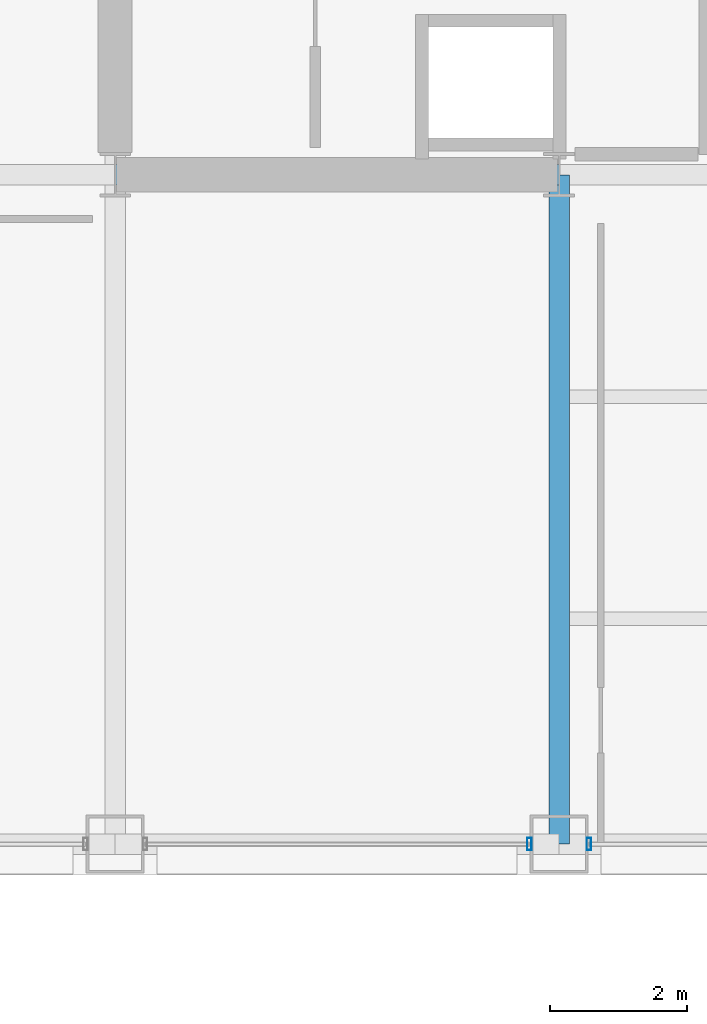
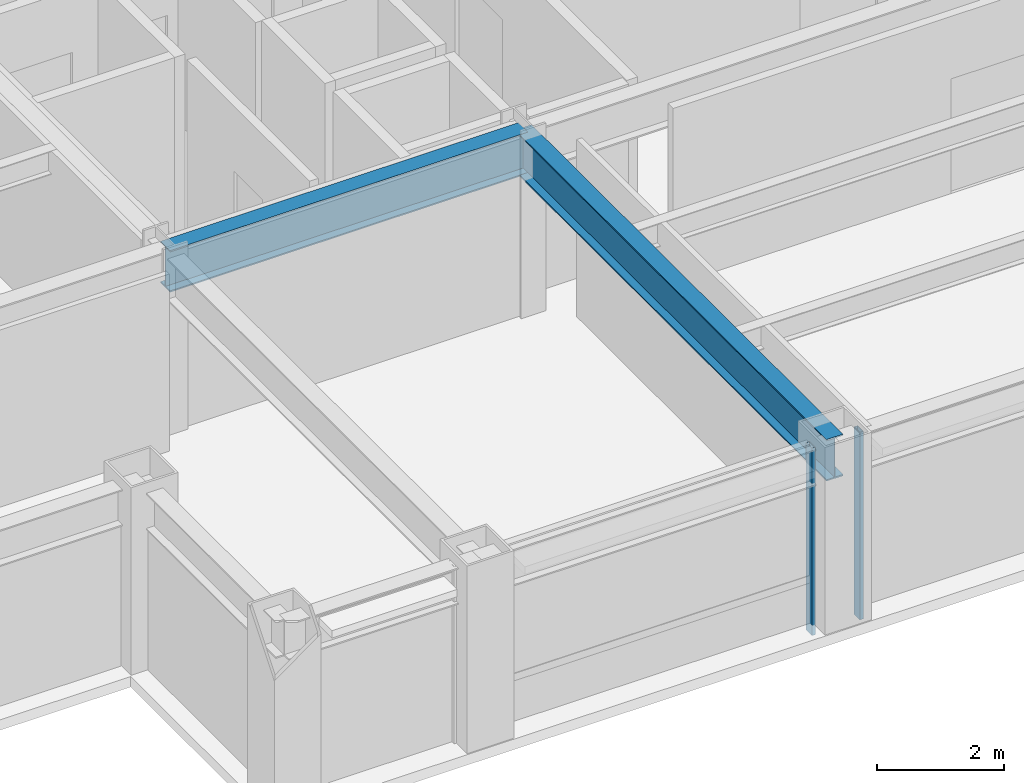
# One storey, part 4 of 28: 2 beams, 2 members, 2 elements without a shape of their own.
"""IFC4 building model written with IfcOpenShell, lengths in metres."""

from ifc_helpers import new_model, si_unit, direction, frame, origin, origin_2d, place, context, subcontext, project, spatial, hollow_rectangle, i_section, extrude, material, layer, layer_set, material_profile, profile_set, type_object, element, aggregate, save


model = new_model("IFC4")

# Units and contexts
model_context = context("Model", 3, precision=1e-05, world=origin(), true_north=direction((0.0, 1.0)))
body_context = subcontext(model_context, "Body", "Model", "MODEL_VIEW")
ifc_project = project(units=[si_unit("LENGTHUNIT", "METRE"), si_unit("AREAUNIT", "SQUARE_METRE"), si_unit("VOLUMEUNIT", "CUBIC_METRE"), si_unit("PLANEANGLEUNIT", "RADIAN"), si_unit("MASSUNIT", "GRAM", prefix="KILO")], contexts=[model_context])

# Site, building, storey
site_placement = place(None, origin())
site = spatial("IfcSite", under=ifc_project, at=site_placement, CompositionType="ELEMENT")
building_placement = place(site_placement, origin())
building = spatial("IfcBuilding", under=site, at=building_placement, Name="Brelmoor Portico Tower", CompositionType="ELEMENT")
storey_placement = place(building_placement, frame((0.0, 0.0, 91.800048828125)))
storey = spatial("IfcBuildingStorey", under=building, at=storey_placement, Name="L23", CompositionType="ELEMENT", Elevation=91.800048828125)

# Beams
ifc_material_1 = material(Name="Steel Q355B", Category="steel")
ifc_material_profile_1 = material_profile(ifc_material_1, i_section(OverallWidth=0.300048828125, OverallDepth=0.800048828125, WebThickness=0.013916015625, FlangeThickness=0.02587890625, at=origin_2d()), Name="HN 800x300x14x26")
ifc_profile_set_1 = profile_set([ifc_material_profile_1], Name="Steel Q355B")
beam_type = type_object("IfcBeamType", Name="BM-PG-800", PredefinedType="BEAM", material=ifc_profile_set_1)
beam_1_placement = place(storey_placement, frame((-8.050048828125, -19.550048828125, 3.0), z_axis=(0.0, 1.0, 0.0), x_axis=(-1.0, 0.0, 0.0)))
element("IfcBeam", 1, at=beam_1_placement, inside=storey, type_object=beam_type, Name="L23 Primary Floor Girder PG-05", PredefinedType="BEAM", context=body_context, shape_type="SweptSolid", body=[
    extrude(i_section(OverallWidth=0.300048828125, OverallDepth=0.800048828125, WebThickness=0.013916015625, FlangeThickness=0.02587890625, at=origin_2d()), origin(), (0.0, 0.0, 1.0), 9.800048828125),
])
beam_2_placement = place(storey_placement, frame((-14.550048828125, -9.75, 3.0), z_axis=(1.0, 0.0, 0.0), x_axis=(0.0, 1.0, 0.0)))
element("IfcBeam", 2, at=beam_2_placement, inside=storey, type_object=beam_type, Name="L23 Primary Floor Girder PG-14", PredefinedType="BEAM", context=body_context, shape_type="SweptSolid", body=[
    extrude(i_section(OverallWidth=0.300048828125, OverallDepth=0.800048828125, WebThickness=0.013916015625, FlangeThickness=0.02587890625, at=origin_2d()), origin(), (0.0, 0.0, 1.0), 6.5),
])

# Curtain wall, member
ifc_material_2 = material(Name="Anodised Aluminium Alloy 6063-T6", Category="aluminium")
ifc_layer_1 = layer(ifc_material_2, 0.179931640625)
ifc_layer_set_1 = layer_set([ifc_layer_1], Name="Anodised Aluminium Alloy 6063-T6")
curtain_wall_type_1 = type_object("IfcCurtainWallType", Name="CW-TOWER-Z2", PredefinedType="NOTDEFINED", material=ifc_layer_set_1)
curtain_wall_1_placement = place(storey_placement, origin())
curtain_wall_1 = element("IfcCurtainWall", 3, at=curtain_wall_1_placement, inside=storey, type_object=curtain_wall_type_1, Name="L23 Curtain Wall CW-L23-01-2", PredefinedType="NOTDEFINED")
ifc_material_profile_2 = material_profile(ifc_material_2, hollow_rectangle(XDim=0.06494140625, YDim=0.179931640625, WallThickness=0.00390625, at=origin_2d()), Name="ALU MULLION 65x180")
ifc_profile_set_2 = profile_set([ifc_material_profile_2], Name="Anodised Aluminium Alloy 6063-T6")
member_type = type_object("IfcMemberType", Name="MB-CW-MULL-180", PredefinedType="MULLION", material=ifc_profile_set_2)
member_1_placement = place(storey_placement, frame((-8.485107421875, -19.550048828125, -0.199951171875), z_axis=(0.0, 0.0, 1.0), x_axis=(1.0, 0.0, 0.0)))
member_1 = element("IfcMember", 4, at=member_1_placement, type_object=member_type, Name="CW-L23-01-2 Mullion 01", PredefinedType="MULLION", context=body_context, shape_type="SweptSolid", body=[
    extrude(hollow_rectangle(XDim=0.06494140625, YDim=0.179931640625, WallThickness=0.00390625, at=origin_2d()), origin(), (0.0, 0.0, 1.0), 3.599853515625),
])
aggregate(curtain_wall_1, [member_1])

ifc_layer_2 = layer(ifc_material_2, 0.179931640625)
ifc_layer_set_2 = layer_set([ifc_layer_2], Name="Anodised Aluminium Alloy 6063-T6")
curtain_wall_type_2 = type_object("IfcCurtainWallType", Name="CW-TOWER-Z2-XB", PredefinedType="NOTDEFINED", material=ifc_layer_set_2)
curtain_wall_2_placement = place(storey_placement, origin())
curtain_wall_2 = element("IfcCurtainWall", 5, at=curtain_wall_2_placement, inside=storey, type_object=curtain_wall_type_2, Name="L23 Curtain Wall CW-L23-01-3", PredefinedType="NOTDEFINED")
member_2_placement = place(storey_placement, frame((-7.614990234375, -19.550048828125, -0.199951171875), z_axis=(0.0, 0.0, 1.0), x_axis=(1.0, 0.0, 0.0)))
member_2 = element("IfcMember", 6, at=member_2_placement, type_object=member_type, Name="CW-L23-01-3 Mullion 00", PredefinedType="MULLION", context=body_context, shape_type="SweptSolid", body=[
    extrude(hollow_rectangle(XDim=0.06494140625, YDim=0.179931640625, WallThickness=0.00390625, at=origin_2d()), origin(), (0.0, 0.0, 1.0), 3.599853515625),
])
aggregate(curtain_wall_2, [member_2])

save(model, "model.ifc")
